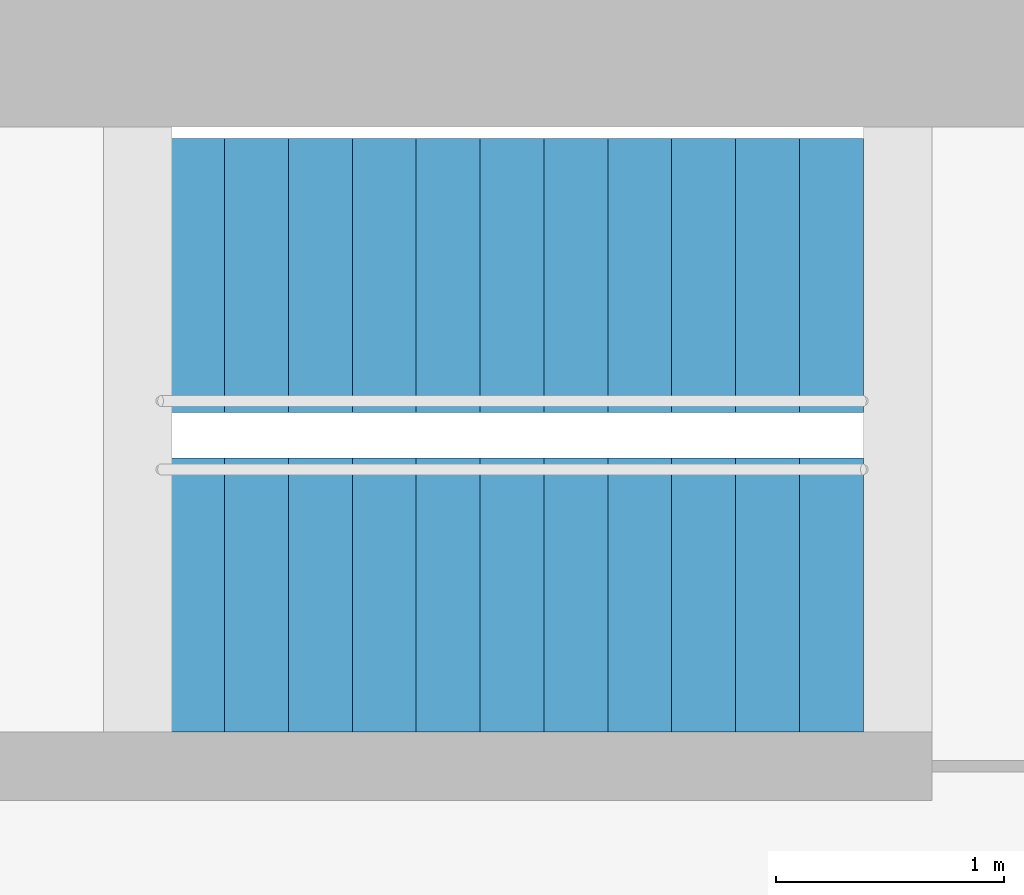
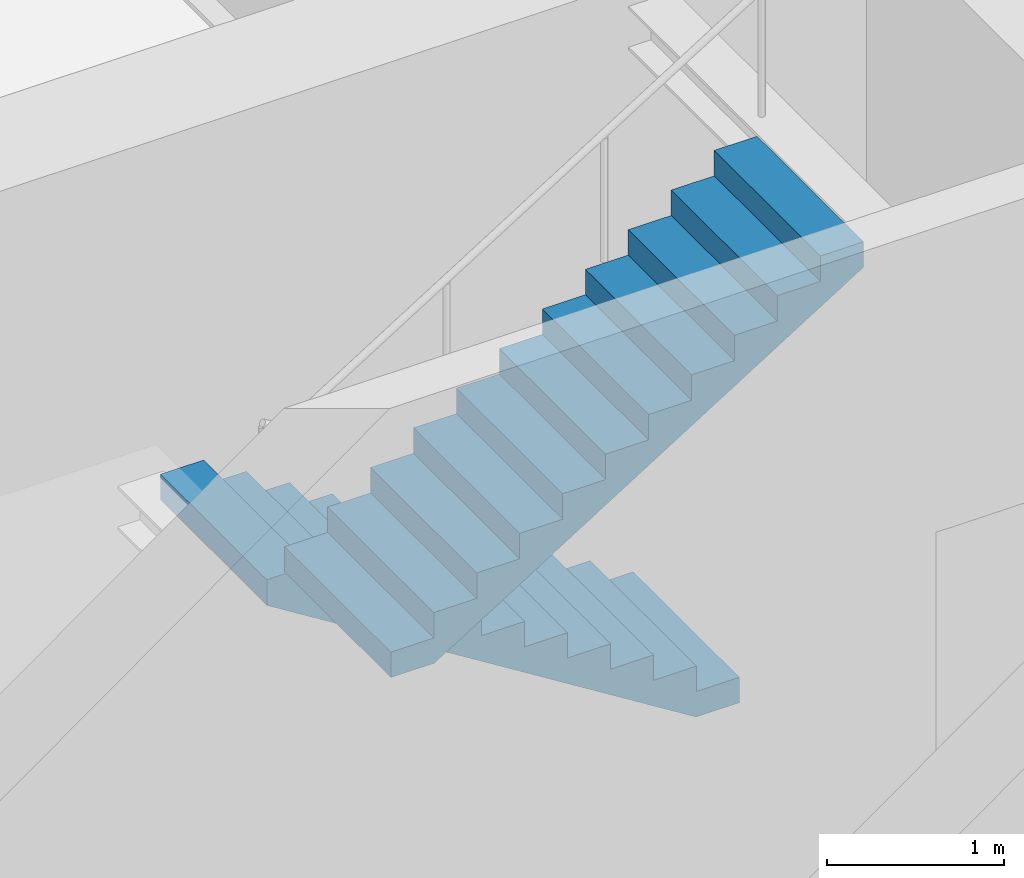
# One storey, part 16 of 17: 2 stair flights, 1 element without a shape of its own.
"""IFC4 building model written with IfcOpenShell, lengths in metres."""

from ifc_helpers import new_model, si_unit, direction, frame, origin, place, context, subcontext, project, spatial, polyline, outline, extrude, material, type_object, element, aggregate, save


model = new_model("IFC4")

# Units and contexts
model_context = context("Model", 3, precision=1e-05, world=origin(), true_north=direction((0.0, 1.0)))
body_context = subcontext(model_context, "Body", "Model", "MODEL_VIEW")
ifc_project = project(units=[si_unit("LENGTHUNIT", "METRE"), si_unit("AREAUNIT", "SQUARE_METRE"), si_unit("VOLUMEUNIT", "CUBIC_METRE"), si_unit("PLANEANGLEUNIT", "RADIAN"), si_unit("MASSUNIT", "GRAM", prefix="KILO")], contexts=[model_context])

# Site, building, storey
site_placement = place(None, origin())
site = spatial("IfcSite", under=ifc_project, at=site_placement, CompositionType="ELEMENT")
building_placement = place(site_placement, origin())
building = spatial("IfcBuilding", under=site, at=building_placement, Name="Rheinbord Bourse Tower", CompositionType="ELEMENT")
storey_placement = place(building_placement, frame((0.0, 0.0, 223.60009765625)))
storey = spatial("IfcBuildingStorey", under=building, at=storey_placement, Name="L50", CompositionType="ELEMENT", Elevation=223.60009765625)

# Stair, stair flights
ifc_material_1 = material(Name="Concrete C30/37", Category="concrete")
stair_type = type_object("IfcStairType", Name="CORE STAIR HALF TURN 4200", PredefinedType="HALF_TURN_STAIR", material=ifc_material_1)
stair_placement = place(storey_placement, origin())
stair = element("IfcStair", 1, at=stair_placement, inside=storey, type_object=stair_type, Name="Stair ST4 L50, type CS6", PredefinedType="HALF_TURN_STAIR")
ifc_material_2 = material(Name="Concrete C30/37", Category="concrete")
stair_flight_type = type_object("IfcStairFlightType", Name="CORE STAIR FLIGHT 1200, 12 RISERS", PredefinedType="STRAIGHT", material=ifc_material_2)
stair_flight_1_placement = place(storey_placement, frame((52.050048828125, 30.949951171875, 0.0), z_axis=(0.0, 0.0, 1.0), x_axis=(-1.0, 0.0, 0.0)))
stair_flight_1 = element("IfcStairFlight", 2, at=stair_flight_1_placement, type_object=stair_flight_type, Name="STAIR L50 ST4 F1", NumberOfRisers=12, NumberOfTreads=11, PredefinedType="STRAIGHT", RiserHeight=0.175, TreadLength=0.28, context=body_context, shape_type="SweptSolid", body=[
    extrude(outline(polyline([(0.0, 0.0), (0.0, 0.175048828125), (0.280029296875, 0.175048828125), (0.280029296875, 0.35009765625), (0.56005859375, 0.35009765625), (0.56005859375, 0.52490234375), (0.840087890625, 0.52490234375), (0.840087890625, 0.699951171875), (1.1201171875, 0.699951171875), (1.1201171875, 0.875), (1.39990234375, 0.875), (1.39990234375, 1.050048828125), (1.679931640625, 1.050048828125), (1.679931640625, 1.22509765625), (1.9599609375, 1.22509765625), (1.9599609375, 1.39990234375), (2.239990234375, 1.39990234375), (2.239990234375, 1.574951171875), (2.52001953125, 1.574951171875), (2.52001953125, 1.75), (2.800048828125, 1.75), (2.800048828125, 1.925048828125), (3.080078125, 1.925048828125), (3.080078125, 2.10009765625), (3.080078125, 1.748291015625), (0.28271484375, 0.0), (0.0, 0.0)])), frame((0.0, 0.60009765625, 0.0), z_axis=(0.0, -1.0, 0.0), x_axis=(1.0, 0.0, 0.0)), (0.0, 0.0, 1.0), 1.199951171875),
])
stair_flight_2_placement = place(storey_placement, frame((48.969970703125, 29.550048828125, 2.099853515625), z_axis=(0.0, 0.0, 1.0), x_axis=(1.0, 0.0, 0.0)))
stair_flight_2 = element("IfcStairFlight", 3, at=stair_flight_2_placement, type_object=stair_flight_type, Name="STAIR L50 ST4 F2", NumberOfRisers=12, NumberOfTreads=11, PredefinedType="STRAIGHT", RiserHeight=0.175, TreadLength=0.28, context=body_context, shape_type="SweptSolid", body=[
    extrude(outline(polyline([(0.0, 0.0), (0.0, 0.175048828125), (0.280029296875, 0.175048828125), (0.280029296875, 0.35009765625), (0.56005859375, 0.35009765625), (0.56005859375, 0.52490234375), (0.840087890625, 0.52490234375), (0.840087890625, 0.699951171875), (1.1201171875, 0.699951171875), (1.1201171875, 0.875), (1.39990234375, 0.875), (1.39990234375, 1.050048828125), (1.679931640625, 1.050048828125), (1.679931640625, 1.22509765625), (1.9599609375, 1.22509765625), (1.9599609375, 1.39990234375), (2.239990234375, 1.39990234375), (2.239990234375, 1.574951171875), (2.52001953125, 1.574951171875), (2.52001953125, 1.75), (2.800048828125, 1.75), (2.800048828125, 1.925048828125), (3.080078125, 1.925048828125), (3.080078125, 2.10009765625), (3.080078125, 1.748291015625), (0.28271484375, 0.0), (0.0, 0.0)])), frame((0.0, 0.60009765625, 0.0), z_axis=(0.0, -1.0, 0.0), x_axis=(1.0, 0.0, 0.0)), (0.0, 0.0, 1.0), 1.199951171875),
])
aggregate(stair, [stair_flight_1, stair_flight_2])

save(model, "model.ifc")
